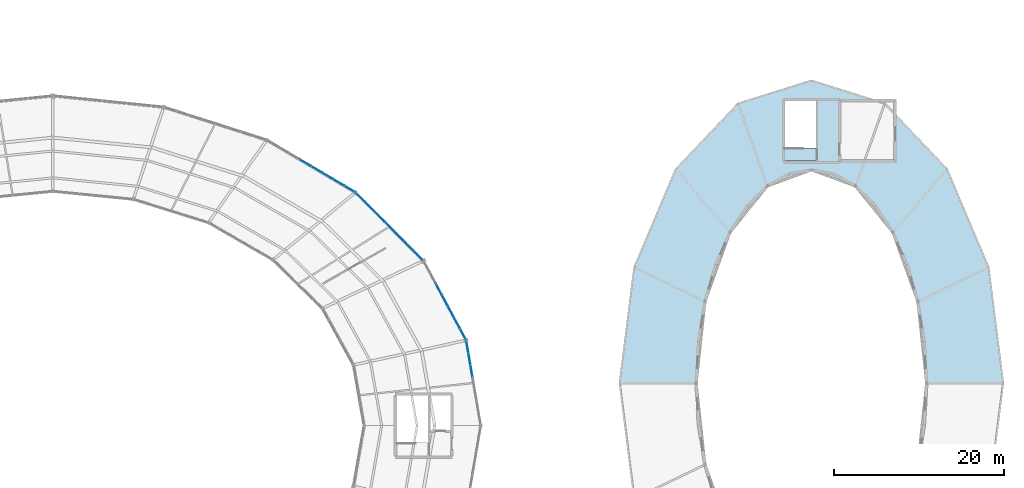
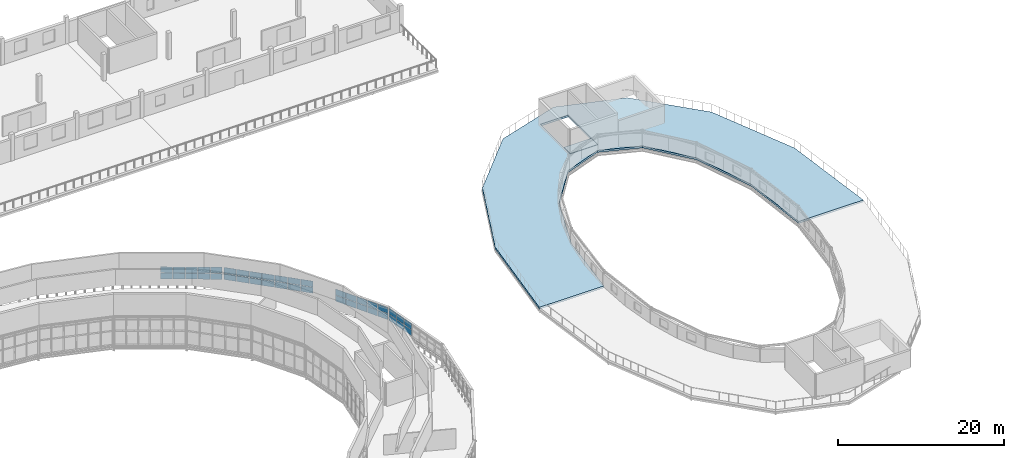
# One storey, part 90 of 123: 40 plates, 2 slabs, 4 elements without a shape of their own.
"""IFC4 building model written with IfcOpenShell, lengths in metres."""

from ifc_helpers import new_model, si_unit, direction, frame, origin, origin_2d, place, context, subcontext, project, spatial, polyline, rectangle, outline, extrude, material, layer, layer_set, type_object, element, aggregate, save


model = new_model("IFC4")

# Units and contexts
model_context = context("Model", 3, precision=1e-05, world=origin(), true_north=direction((0.0, 1.0)))
body_context = subcontext(model_context, "Body", "Model", "MODEL_VIEW")
ifc_project = project(units=[si_unit("LENGTHUNIT", "METRE"), si_unit("AREAUNIT", "SQUARE_METRE"), si_unit("VOLUMEUNIT", "CUBIC_METRE"), si_unit("PLANEANGLEUNIT", "RADIAN"), si_unit("MASSUNIT", "GRAM", prefix="KILO")], contexts=[model_context])

# Site, building, storey
site_placement = place(None, origin())
site = spatial("IfcSite", under=ifc_project, at=site_placement, CompositionType="ELEMENT")
building_placement = place(site_placement, origin())
building = spatial("IfcBuilding", under=site, at=building_placement, Name="Kildeholm Park Wholesale Market", CompositionType="ELEMENT")
storey_placement = place(building_placement, frame((0.0, 0.0, 9.60009765625)))
storey = spatial("IfcBuildingStorey", under=building, at=storey_placement, Name="L02", CompositionType="ELEMENT", Elevation=9.60009765625)

# Curtain wall, plates
ifc_material_1 = material(Name="Anodised aluminium and low-E double-glazed glass", Category="aluminium")
curtain_wall_type = type_object("IfcCurtainWallType", Name="Clerestory daylight stick curtain wall CW-02", PredefinedType="NOTDEFINED", material=ifc_material_1)
curtain_wall_1_placement = place(storey_placement, origin())
curtain_wall_1 = element("IfcCurtainWall", 1, at=curtain_wall_1_placement, inside=storey, type_object=curtain_wall_type, Name="Curtain wall CW-V1-CL-00 CW-0002", PredefinedType="NOTDEFINED")
ifc_material_2 = material(Name="Fritted solar-control clerestory glass", Category="glass")
ifc_layer_1 = layer(ifc_material_2, 0.031982421875)
ifc_layer_set_1 = layer_set([ifc_layer_1], Name="Fritted solar-control clerestory glass")
plate_type = type_object("IfcPlateType", Name="Curtain-wall panel CWP-4 32 mm", PredefinedType="CURTAIN_PANEL", material=ifc_layer_set_1)
plate_1_placement = place(storey_placement, frame((148.109130859375, 95.9287109375, 1.40966796875), z_axis=(0.0, 0.0, 1.0), x_axis=(-0.168322320564, 0.985732010437, 0.0)))
plate_1 = element("IfcPlate", 2, at=plate_1_placement, type_object=plate_type, Name="CW-02 panel 5.1 PLT-0196", PredefinedType="CURTAIN_PANEL", context=body_context, shape_type="SweptSolid", body=[
    extrude(rectangle(XDim=1.38037109375, YDim=0.031982421875, at=origin_2d()), origin(), (0.0, 0.0, 1.0), 0.860107421875),
])
plate_2_placement = place(storey_placement, frame((148.109130859375, 95.9287109375, 2.330078125), z_axis=(0.0, 0.0, 1.0), x_axis=(-0.168322320564, 0.985732010437, 0.0)))
plate_2 = element("IfcPlate", 3, at=plate_2_placement, type_object=plate_type, Name="CW-02 panel 5.2 PLT-0197", PredefinedType="CURTAIN_PANEL", context=body_context, shape_type="SweptSolid", body=[
    extrude(rectangle(XDim=1.38037109375, YDim=0.031982421875, at=origin_2d()), origin(), (0.0, 0.0, 1.0), 0.860107421875),
])
plate_3_placement = place(storey_placement, frame((147.86669921875, 97.348388671875, 1.40966796875), z_axis=(0.0, 0.0, 1.0), x_axis=(-0.168322320564, 0.985732010437, 0.0)))
plate_3 = element("IfcPlate", 4, at=plate_3_placement, type_object=plate_type, Name="CW-02 panel 6.1 PLT-0198", PredefinedType="CURTAIN_PANEL", context=body_context, shape_type="SweptSolid", body=[
    extrude(rectangle(XDim=1.38037109375, YDim=0.031982421875, at=origin_2d()), origin(), (0.0, 0.0, 1.0), 0.860107421875),
])
plate_4_placement = place(storey_placement, frame((147.86669921875, 97.348388671875, 2.330078125), z_axis=(0.0, 0.0, 1.0), x_axis=(-0.168322320564, 0.985732010437, 0.0)))
plate_4 = element("IfcPlate", 5, at=plate_4_placement, type_object=plate_type, Name="CW-02 panel 6.2 PLT-0199", PredefinedType="CURTAIN_PANEL", context=body_context, shape_type="SweptSolid", body=[
    extrude(rectangle(XDim=1.38037109375, YDim=0.031982421875, at=origin_2d()), origin(), (0.0, 0.0, 1.0), 0.860107421875),
])
plate_5_placement = place(storey_placement, frame((147.626708984375, 98.75341796875, 1.40966796875), z_axis=(0.0, 0.0, 1.0), x_axis=(-0.168322320564, 0.985732010437, 0.0)))
plate_5 = element("IfcPlate", 6, at=plate_5_placement, type_object=plate_type, Name="CW-02 panel 7.1 PLT-0200", PredefinedType="CURTAIN_PANEL", context=body_context, shape_type="SweptSolid", body=[
    extrude(rectangle(XDim=1.350341796875, YDim=0.031982421875, at=origin_2d()), origin(), (0.0, 0.0, 1.0), 0.860107421875),
])
plate_6_placement = place(storey_placement, frame((147.626708984375, 98.75341796875, 2.330078125), z_axis=(0.0, 0.0, 1.0), x_axis=(-0.168322320564, 0.985732010437, 0.0)))
plate_6 = element("IfcPlate", 7, at=plate_6_placement, type_object=plate_type, Name="CW-02 panel 7.2 PLT-0201", PredefinedType="CURTAIN_PANEL", context=body_context, shape_type="SweptSolid", body=[
    extrude(rectangle(XDim=1.350341796875, YDim=0.031982421875, at=origin_2d()), origin(), (0.0, 0.0, 1.0), 0.860107421875),
])
aggregate(curtain_wall_1, [plate_1, plate_2, plate_3, plate_4, plate_5, plate_6])

curtain_wall_2_placement = place(storey_placement, origin())
curtain_wall_2 = element("IfcCurtainWall", 8, at=curtain_wall_2_placement, inside=storey, type_object=curtain_wall_type, Name="Curtain wall CW-V1-CL-01 CW-0007", PredefinedType="NOTDEFINED")
plate_7_placement = place(storey_placement, frame((147.1142578125, 100.22802734375, 1.40966796875), z_axis=(0.0, 0.0, 1.0), x_axis=(-0.473339828092, 0.880879905062, 0.0)))
plate_7 = element("IfcPlate", 9, at=plate_7_placement, type_object=plate_type, Name="CW-02 panel 1.1 PLT-0248", PredefinedType="CURTAIN_PANEL", context=body_context, shape_type="SweptSolid", body=[
    extrude(rectangle(XDim=1.412353515625, YDim=0.031982421875, at=origin_2d()), origin(), (0.0, 0.0, 1.0), 0.860107421875),
])
plate_8_placement = place(storey_placement, frame((147.1142578125, 100.22802734375, 2.330078125), z_axis=(0.0, 0.0, 1.0), x_axis=(-0.473339828092, 0.880879905062, 0.0)))
plate_8 = element("IfcPlate", 10, at=plate_8_placement, type_object=plate_type, Name="CW-02 panel 1.2 PLT-0249", PredefinedType="CURTAIN_PANEL", context=body_context, shape_type="SweptSolid", body=[
    extrude(rectangle(XDim=1.412353515625, YDim=0.031982421875, at=origin_2d()), origin(), (0.0, 0.0, 1.0), 0.860107421875),
])
plate_9_placement = place(storey_placement, frame((146.410400390625, 101.5380859375, 1.40966796875), z_axis=(0.0, 0.0, 1.0), x_axis=(-0.473339828092, 0.880879905062, 0.0)))
plate_9 = element("IfcPlate", 11, at=plate_9_placement, type_object=plate_type, Name="CW-02 panel 2.1 PLT-0250", PredefinedType="CURTAIN_PANEL", context=body_context, shape_type="SweptSolid", body=[
    extrude(rectangle(XDim=1.4423828125, YDim=0.031982421875, at=origin_2d()), origin(), (0.0, 0.0, 1.0), 0.860107421875),
])
plate_10_placement = place(storey_placement, frame((146.410400390625, 101.5380859375, 2.330078125), z_axis=(0.0, 0.0, 1.0), x_axis=(-0.473339828092, 0.880879905062, 0.0)))
plate_10 = element("IfcPlate", 12, at=plate_10_placement, type_object=plate_type, Name="CW-02 panel 2.2 PLT-0251", PredefinedType="CURTAIN_PANEL", context=body_context, shape_type="SweptSolid", body=[
    extrude(rectangle(XDim=1.4423828125, YDim=0.031982421875, at=origin_2d()), origin(), (0.0, 0.0, 1.0), 0.860107421875),
])
plate_11_placement = place(storey_placement, frame((145.69921875, 102.861572265625, 1.40966796875), z_axis=(0.0, 0.0, 1.0), x_axis=(-0.473339828092, 0.880879905062, 0.0)))
plate_11 = element("IfcPlate", 13, at=plate_11_placement, type_object=plate_type, Name="CW-02 panel 3.1 PLT-0252", PredefinedType="CURTAIN_PANEL", context=body_context, shape_type="SweptSolid", body=[
    extrude(rectangle(XDim=1.4423828125, YDim=0.031982421875, at=origin_2d()), origin(), (0.0, 0.0, 1.0), 0.860107421875),
])
plate_12_placement = place(storey_placement, frame((145.69921875, 102.861572265625, 2.330078125), z_axis=(0.0, 0.0, 1.0), x_axis=(-0.473339828092, 0.880879905062, 0.0)))
plate_12 = element("IfcPlate", 14, at=plate_12_placement, type_object=plate_type, Name="CW-02 panel 3.2 PLT-0253", PredefinedType="CURTAIN_PANEL", context=body_context, shape_type="SweptSolid", body=[
    extrude(rectangle(XDim=1.4423828125, YDim=0.031982421875, at=origin_2d()), origin(), (0.0, 0.0, 1.0), 0.860107421875),
])
plate_13_placement = place(storey_placement, frame((144.988037109375, 104.18505859375, 1.40966796875), z_axis=(0.0, 0.0, 1.0), x_axis=(-0.473339828092, 0.880879905062, 0.0)))
plate_13 = element("IfcPlate", 15, at=plate_13_placement, type_object=plate_type, Name="CW-02 panel 4.1 PLT-0254", PredefinedType="CURTAIN_PANEL", context=body_context, shape_type="SweptSolid", body=[
    extrude(rectangle(XDim=1.4423828125, YDim=0.031982421875, at=origin_2d()), origin(), (0.0, 0.0, 1.0), 0.860107421875),
])
plate_14_placement = place(storey_placement, frame((144.988037109375, 104.18505859375, 2.330078125), z_axis=(0.0, 0.0, 1.0), x_axis=(-0.473339828092, 0.880879905062, 0.0)))
plate_14 = element("IfcPlate", 16, at=plate_14_placement, type_object=plate_type, Name="CW-02 panel 4.2 PLT-0255", PredefinedType="CURTAIN_PANEL", context=body_context, shape_type="SweptSolid", body=[
    extrude(rectangle(XDim=1.4423828125, YDim=0.031982421875, at=origin_2d()), origin(), (0.0, 0.0, 1.0), 0.860107421875),
])
plate_15_placement = place(storey_placement, frame((144.27685546875, 105.508544921875, 1.40966796875), z_axis=(0.0, 0.0, 1.0), x_axis=(-0.473339828092, 0.880879905062, 0.0)))
plate_15 = element("IfcPlate", 17, at=plate_15_placement, type_object=plate_type, Name="CW-02 panel 5.1 PLT-0256", PredefinedType="CURTAIN_PANEL", context=body_context, shape_type="SweptSolid", body=[
    extrude(rectangle(XDim=1.4423828125, YDim=0.031982421875, at=origin_2d()), origin(), (0.0, 0.0, 1.0), 0.860107421875),
])
plate_16_placement = place(storey_placement, frame((144.27685546875, 105.508544921875, 2.330078125), z_axis=(0.0, 0.0, 1.0), x_axis=(-0.473339828092, 0.880879905062, 0.0)))
plate_16 = element("IfcPlate", 18, at=plate_16_placement, type_object=plate_type, Name="CW-02 panel 5.2 PLT-0257", PredefinedType="CURTAIN_PANEL", context=body_context, shape_type="SweptSolid", body=[
    extrude(rectangle(XDim=1.4423828125, YDim=0.031982421875, at=origin_2d()), origin(), (0.0, 0.0, 1.0), 0.860107421875),
])
aggregate(curtain_wall_2, [plate_7, plate_8, plate_9, plate_10, plate_11, plate_12, plate_13, plate_14, plate_15, plate_16])

curtain_wall_3_placement = place(storey_placement, origin())
curtain_wall_3 = element("IfcCurtainWall", 19, at=curtain_wall_3_placement, inside=storey, type_object=curtain_wall_type, Name="Curtain wall CW-V1-CL-02 CW-0012", PredefinedType="NOTDEFINED")
plate_17_placement = place(storey_placement, frame((141.87451171875, 109.460205078125, 1.40966796875), z_axis=(0.0, 0.0, 1.0), x_axis=(-0.705412692399, 0.708796820959, 0.0)))
plate_17 = element("IfcPlate", 20, at=plate_17_placement, type_object=plate_type, Name="CW-02 panel 1.1 PLT-0310", PredefinedType="CURTAIN_PANEL", context=body_context, shape_type="SweptSolid", body=[
    extrude(rectangle(XDim=1.51416015625, YDim=0.031982421875, at=origin_2d()), origin(), (0.0, 0.0, 1.0), 0.860107421875),
])
plate_18_placement = place(storey_placement, frame((141.87451171875, 109.460205078125, 2.330078125), z_axis=(0.0, 0.0, 1.0), x_axis=(-0.705412692399, 0.708796820959, 0.0)))
plate_18 = element("IfcPlate", 21, at=plate_18_placement, type_object=plate_type, Name="CW-02 panel 1.2 PLT-0311", PredefinedType="CURTAIN_PANEL", context=body_context, shape_type="SweptSolid", body=[
    extrude(rectangle(XDim=1.51416015625, YDim=0.031982421875, at=origin_2d()), origin(), (0.0, 0.0, 1.0), 0.860107421875),
])
plate_19_placement = place(storey_placement, frame((140.753662109375, 110.58642578125, 1.40966796875), z_axis=(0.0, 0.0, 1.0), x_axis=(-0.705412692399, 0.708796820959, 0.0)))
plate_19 = element("IfcPlate", 22, at=plate_19_placement, type_object=plate_type, Name="CW-02 panel 2.1 PLT-0312", PredefinedType="CURTAIN_PANEL", context=body_context, shape_type="SweptSolid", body=[
    extrude(rectangle(XDim=1.544189453125, YDim=0.031982421875, at=origin_2d()), origin(), (0.0, 0.0, 1.0), 0.860107421875),
])
plate_20_placement = place(storey_placement, frame((140.753662109375, 110.58642578125, 2.330078125), z_axis=(0.0, 0.0, 1.0), x_axis=(-0.705412692399, 0.708796820959, 0.0)))
plate_20 = element("IfcPlate", 23, at=plate_20_placement, type_object=plate_type, Name="CW-02 panel 2.2 PLT-0313", PredefinedType="CURTAIN_PANEL", context=body_context, shape_type="SweptSolid", body=[
    extrude(rectangle(XDim=1.544189453125, YDim=0.031982421875, at=origin_2d()), origin(), (0.0, 0.0, 1.0), 0.860107421875),
])
plate_21_placement = place(storey_placement, frame((139.6220703125, 111.723388671875, 1.40966796875), z_axis=(0.0, 0.0, 1.0), x_axis=(-0.705412692399, 0.708796820959, 0.0)))
plate_21 = element("IfcPlate", 24, at=plate_21_placement, type_object=plate_type, Name="CW-02 panel 3.1 PLT-0314", PredefinedType="CURTAIN_PANEL", context=body_context, shape_type="SweptSolid", body=[
    extrude(rectangle(XDim=1.544189453125, YDim=0.031982421875, at=origin_2d()), origin(), (0.0, 0.0, 1.0), 0.860107421875),
])
plate_22_placement = place(storey_placement, frame((139.6220703125, 111.723388671875, 2.330078125), z_axis=(0.0, 0.0, 1.0), x_axis=(-0.705412692399, 0.708796820959, 0.0)))
plate_22 = element("IfcPlate", 25, at=plate_22_placement, type_object=plate_type, Name="CW-02 panel 3.2 PLT-0315", PredefinedType="CURTAIN_PANEL", context=body_context, shape_type="SweptSolid", body=[
    extrude(rectangle(XDim=1.544189453125, YDim=0.031982421875, at=origin_2d()), origin(), (0.0, 0.0, 1.0), 0.860107421875),
])
plate_23_placement = place(storey_placement, frame((138.490478515625, 112.860595703125, 1.40966796875), z_axis=(0.0, 0.0, 1.0), x_axis=(-0.705412692399, 0.708796820959, 0.0)))
plate_23 = element("IfcPlate", 26, at=plate_23_placement, type_object=plate_type, Name="CW-02 panel 4.1 PLT-0316", PredefinedType="CURTAIN_PANEL", context=body_context, shape_type="SweptSolid", body=[
    extrude(rectangle(XDim=1.544189453125, YDim=0.031982421875, at=origin_2d()), origin(), (0.0, 0.0, 1.0), 0.860107421875),
])
plate_24_placement = place(storey_placement, frame((138.490478515625, 112.860595703125, 2.330078125), z_axis=(0.0, 0.0, 1.0), x_axis=(-0.705412692399, 0.708796820959, 0.0)))
plate_24 = element("IfcPlate", 27, at=plate_24_placement, type_object=plate_type, Name="CW-02 panel 4.2 PLT-0317", PredefinedType="CURTAIN_PANEL", context=body_context, shape_type="SweptSolid", body=[
    extrude(rectangle(XDim=1.544189453125, YDim=0.031982421875, at=origin_2d()), origin(), (0.0, 0.0, 1.0), 0.860107421875),
])
plate_25_placement = place(storey_placement, frame((137.35888671875, 113.99755859375, 1.40966796875), z_axis=(0.0, 0.0, 1.0), x_axis=(-0.705412692399, 0.708796820959, 0.0)))
plate_25 = element("IfcPlate", 28, at=plate_25_placement, type_object=plate_type, Name="CW-02 panel 5.1 PLT-0318", PredefinedType="CURTAIN_PANEL", context=body_context, shape_type="SweptSolid", body=[
    extrude(rectangle(XDim=1.544189453125, YDim=0.031982421875, at=origin_2d()), origin(), (0.0, 0.0, 1.0), 0.860107421875),
])
plate_26_placement = place(storey_placement, frame((137.35888671875, 113.99755859375, 2.330078125), z_axis=(0.0, 0.0, 1.0), x_axis=(-0.705412692399, 0.708796820959, 0.0)))
plate_26 = element("IfcPlate", 29, at=plate_26_placement, type_object=plate_type, Name="CW-02 panel 5.2 PLT-0319", PredefinedType="CURTAIN_PANEL", context=body_context, shape_type="SweptSolid", body=[
    extrude(rectangle(XDim=1.544189453125, YDim=0.031982421875, at=origin_2d()), origin(), (0.0, 0.0, 1.0), 0.860107421875),
])
plate_27_placement = place(storey_placement, frame((136.227294921875, 115.134521484375, 1.40966796875), z_axis=(0.0, 0.0, 1.0), x_axis=(-0.705412692399, 0.708796820959, 0.0)))
plate_27 = element("IfcPlate", 30, at=plate_27_placement, type_object=plate_type, Name="CW-02 panel 6.1 PLT-0320", PredefinedType="CURTAIN_PANEL", context=body_context, shape_type="SweptSolid", body=[
    extrude(rectangle(XDim=1.544189453125, YDim=0.031982421875, at=origin_2d()), origin(), (0.0, 0.0, 1.0), 0.860107421875),
])
plate_28_placement = place(storey_placement, frame((136.227294921875, 115.134521484375, 2.330078125), z_axis=(0.0, 0.0, 1.0), x_axis=(-0.705412692399, 0.708796820959, 0.0)))
plate_28 = element("IfcPlate", 31, at=plate_28_placement, type_object=plate_type, Name="CW-02 panel 6.2 PLT-0321", PredefinedType="CURTAIN_PANEL", context=body_context, shape_type="SweptSolid", body=[
    extrude(rectangle(XDim=1.544189453125, YDim=0.031982421875, at=origin_2d()), origin(), (0.0, 0.0, 1.0), 0.860107421875),
])
plate_29_placement = place(storey_placement, frame((135.1064453125, 116.260986328125, 1.40966796875), z_axis=(0.0, 0.0, 1.0), x_axis=(-0.705412692399, 0.708796820959, 0.0)))
plate_29 = element("IfcPlate", 32, at=plate_29_placement, type_object=plate_type, Name="CW-02 panel 7.1 PLT-0322", PredefinedType="CURTAIN_PANEL", context=body_context, shape_type="SweptSolid", body=[
    extrude(rectangle(XDim=1.51416015625, YDim=0.031982421875, at=origin_2d()), origin(), (0.0, 0.0, 1.0), 0.860107421875),
])
plate_30_placement = place(storey_placement, frame((135.1064453125, 116.260986328125, 2.330078125), z_axis=(0.0, 0.0, 1.0), x_axis=(-0.705412692399, 0.708796820959, 0.0)))
plate_30 = element("IfcPlate", 33, at=plate_30_placement, type_object=plate_type, Name="CW-02 panel 7.2 PLT-0323", PredefinedType="CURTAIN_PANEL", context=body_context, shape_type="SweptSolid", body=[
    extrude(rectangle(XDim=1.51416015625, YDim=0.031982421875, at=origin_2d()), origin(), (0.0, 0.0, 1.0), 0.860107421875),
])
aggregate(curtain_wall_3, [plate_17, plate_18, plate_19, plate_20, plate_21, plate_22, plate_23, plate_24, plate_25, plate_26, plate_27, plate_28, plate_29, plate_30])

curtain_wall_4_placement = place(storey_placement, origin())
curtain_wall_4 = element("IfcCurtainWall", 34, at=curtain_wall_4_placement, inside=storey, type_object=curtain_wall_type, Name="Curtain wall CW-V1-CL-03 CW-0017", PredefinedType="NOTDEFINED")
plate_31_placement = place(storey_placement, frame((133.8076171875, 117.278564453125, 1.40966796875), z_axis=(0.0, 0.0, 1.0), x_axis=(-0.860704129033, 0.509105492275, 0.0)))
plate_31 = element("IfcPlate", 35, at=plate_31_placement, type_object=plate_type, Name="CW-02 panel 1.1 PLT-0372", PredefinedType="CURTAIN_PANEL", context=body_context, shape_type="SweptSolid", body=[
    extrude(rectangle(XDim=1.409912109375, YDim=0.031982421875, at=origin_2d()), origin(), (0.0, 0.0, 1.0), 0.860107421875),
])
plate_32_placement = place(storey_placement, frame((133.8076171875, 117.278564453125, 2.330078125), z_axis=(0.0, 0.0, 1.0), x_axis=(-0.860704129033, 0.509105492275, 0.0)))
plate_32 = element("IfcPlate", 36, at=plate_32_placement, type_object=plate_type, Name="CW-02 panel 1.2 PLT-0373", PredefinedType="CURTAIN_PANEL", context=body_context, shape_type="SweptSolid", body=[
    extrude(rectangle(XDim=1.409912109375, YDim=0.031982421875, at=origin_2d()), origin(), (0.0, 0.0, 1.0), 0.860107421875),
])
plate_33_placement = place(storey_placement, frame((132.529541015625, 118.034423828125, 1.40966796875), z_axis=(0.0, 0.0, 1.0), x_axis=(-0.860704129033, 0.509105492275, 0.0)))
plate_33 = element("IfcPlate", 37, at=plate_33_placement, type_object=plate_type, Name="CW-02 panel 2.1 PLT-0374", PredefinedType="CURTAIN_PANEL", context=body_context, shape_type="SweptSolid", body=[
    extrude(rectangle(XDim=1.43994140625, YDim=0.031982421875, at=origin_2d()), origin(), (0.0, 0.0, 1.0), 0.860107421875),
])
plate_34_placement = place(storey_placement, frame((132.529541015625, 118.034423828125, 2.330078125), z_axis=(0.0, 0.0, 1.0), x_axis=(-0.860704129033, 0.509105492275, 0.0)))
plate_34 = element("IfcPlate", 38, at=plate_34_placement, type_object=plate_type, Name="CW-02 panel 2.2 PLT-0375", PredefinedType="CURTAIN_PANEL", context=body_context, shape_type="SweptSolid", body=[
    extrude(rectangle(XDim=1.43994140625, YDim=0.031982421875, at=origin_2d()), origin(), (0.0, 0.0, 1.0), 0.860107421875),
])
plate_35_placement = place(storey_placement, frame((131.238525390625, 118.798095703125, 1.40966796875), z_axis=(0.0, 0.0, 1.0), x_axis=(-0.860704129033, 0.509105492275, 0.0)))
plate_35 = element("IfcPlate", 39, at=plate_35_placement, type_object=plate_type, Name="CW-02 panel 3.1 PLT-0376", PredefinedType="CURTAIN_PANEL", context=body_context, shape_type="SweptSolid", body=[
    extrude(rectangle(XDim=1.43994140625, YDim=0.031982421875, at=origin_2d()), origin(), (0.0, 0.0, 1.0), 0.860107421875),
])
plate_36_placement = place(storey_placement, frame((131.238525390625, 118.798095703125, 2.330078125), z_axis=(0.0, 0.0, 1.0), x_axis=(-0.860704129033, 0.509105492275, 0.0)))
plate_36 = element("IfcPlate", 40, at=plate_36_placement, type_object=plate_type, Name="CW-02 panel 3.2 PLT-0377", PredefinedType="CURTAIN_PANEL", context=body_context, shape_type="SweptSolid", body=[
    extrude(rectangle(XDim=1.43994140625, YDim=0.031982421875, at=origin_2d()), origin(), (0.0, 0.0, 1.0), 0.860107421875),
])
plate_37_placement = place(storey_placement, frame((129.947509765625, 119.561767578125, 1.40966796875), z_axis=(0.0, 0.0, 1.0), x_axis=(-0.860704129033, 0.509105492275, 0.0)))
plate_37 = element("IfcPlate", 41, at=plate_37_placement, type_object=plate_type, Name="CW-02 panel 4.1 PLT-0378", PredefinedType="CURTAIN_PANEL", context=body_context, shape_type="SweptSolid", body=[
    extrude(rectangle(XDim=1.43994140625, YDim=0.031982421875, at=origin_2d()), origin(), (0.0, 0.0, 1.0), 0.860107421875),
])
plate_38_placement = place(storey_placement, frame((129.947509765625, 119.561767578125, 2.330078125), z_axis=(0.0, 0.0, 1.0), x_axis=(-0.860704129033, 0.509105492275, 0.0)))
plate_38 = element("IfcPlate", 42, at=plate_38_placement, type_object=plate_type, Name="CW-02 panel 4.2 PLT-0379", PredefinedType="CURTAIN_PANEL", context=body_context, shape_type="SweptSolid", body=[
    extrude(rectangle(XDim=1.43994140625, YDim=0.031982421875, at=origin_2d()), origin(), (0.0, 0.0, 1.0), 0.860107421875),
])
plate_39_placement = place(storey_placement, frame((128.656494140625, 120.3251953125, 1.40966796875), z_axis=(0.0, 0.0, 1.0), x_axis=(-0.860704129033, 0.509105492275, 0.0)))
plate_39 = element("IfcPlate", 43, at=plate_39_placement, type_object=plate_type, Name="CW-02 panel 5.1 PLT-0380", PredefinedType="CURTAIN_PANEL", context=body_context, shape_type="SweptSolid", body=[
    extrude(rectangle(XDim=1.43994140625, YDim=0.031982421875, at=origin_2d()), origin(), (0.0, 0.0, 1.0), 0.860107421875),
])
plate_40_placement = place(storey_placement, frame((128.656494140625, 120.3251953125, 2.330078125), z_axis=(0.0, 0.0, 1.0), x_axis=(-0.860704129033, 0.509105492275, 0.0)))
plate_40 = element("IfcPlate", 44, at=plate_40_placement, type_object=plate_type, Name="CW-02 panel 5.2 PLT-0381", PredefinedType="CURTAIN_PANEL", context=body_context, shape_type="SweptSolid", body=[
    extrude(rectangle(XDim=1.43994140625, YDim=0.031982421875, at=origin_2d()), origin(), (0.0, 0.0, 1.0), 0.860107421875),
])
aggregate(curtain_wall_4, [plate_31, plate_32, plate_33, plate_34, plate_35, plate_36, plate_37, plate_38, plate_39, plate_40])

# Slabs
ifc_material_3 = material(Name="Concrete C40/50", Category="concrete")
ifc_layer_2 = layer(ifc_material_3, 0.2900390625)
ifc_layer_set_2 = layer_set([ifc_layer_2], Name="Concrete C40/50")
slab_type_1 = type_object("IfcSlabType", Name="Slab S-TR1 290 mm", PredefinedType="ROOF", material=ifc_layer_set_2)
slab_1_placement = place(storey_placement, frame((0.0, 0.0, -0.2900390625)))
element("IfcSlab", 45, at=slab_1_placement, inside=storey, type_object=slab_type_1, Name="Oval hall planted roof garden slab N SLB-0304", PredefinedType="ROOF", context=body_context, shape_type="SweptSolid", body=[
    extrude(outline(polyline([(201.5, 94.5), (200.471923828125, 104.06689453125), (197.5458984375, 112.177978515625), (193.166015625, 117.596923828125), (188.0, 119.5), (182.833984375, 117.596923828125), (178.4541015625, 112.177978515625), (175.528076171875, 104.06689453125), (174.5, 94.5), (165.5, 94.5), (167.212890625, 108.0849609375), (172.090087890625, 119.60205078125), (179.389892578125, 127.298095703125), (188.0, 130.0), (196.610107421875, 127.298095703125), (203.909912109375, 119.60205078125), (208.787109375, 108.0849609375), (210.5, 94.5), (201.5, 94.5)]), holes=[polyline([(188.679931640625, 120.52001953125), (188.679931640625, 127.679931640625), (184.820068359375, 127.679931640625), (184.820068359375, 120.52001953125), (188.679931640625, 120.52001953125)])]), origin(), (0.0, 0.0, 1.0), 0.2900390625),
])
ifc_material_4 = material(Name="Concrete C35/45", Category="concrete")
ifc_layer_3 = layer(ifc_material_4, 0.239990234375)
ifc_layer_set_3 = layer_set([ifc_layer_3], Name="Concrete C35/45")
slab_type_2 = type_object("IfcSlabType", Name="Stair landing slab S-LD1 240 mm", PredefinedType="LANDING", material=ifc_layer_set_3)
slab_2_placement = place(storey_placement, frame((0.0, 0.0, -0.239990234375)))
element("IfcSlab", 46, at=slab_2_placement, inside=storey, type_object=slab_type_2, Name="Core C13 stair landing slab L02 SLB-0480", PredefinedType="LANDING", context=body_context, shape_type="SweptSolid", body=[
    extrude(outline(polyline([(184.85009765625, 120.550048828125), (188.64990234375, 120.550048828125), (188.64990234375, 122.10009765625), (184.85009765625, 122.10009765625), (184.85009765625, 120.550048828125)])), origin(), (0.0, 0.0, 1.0), 0.239990234375),
])

save(model, "model.ifc")
